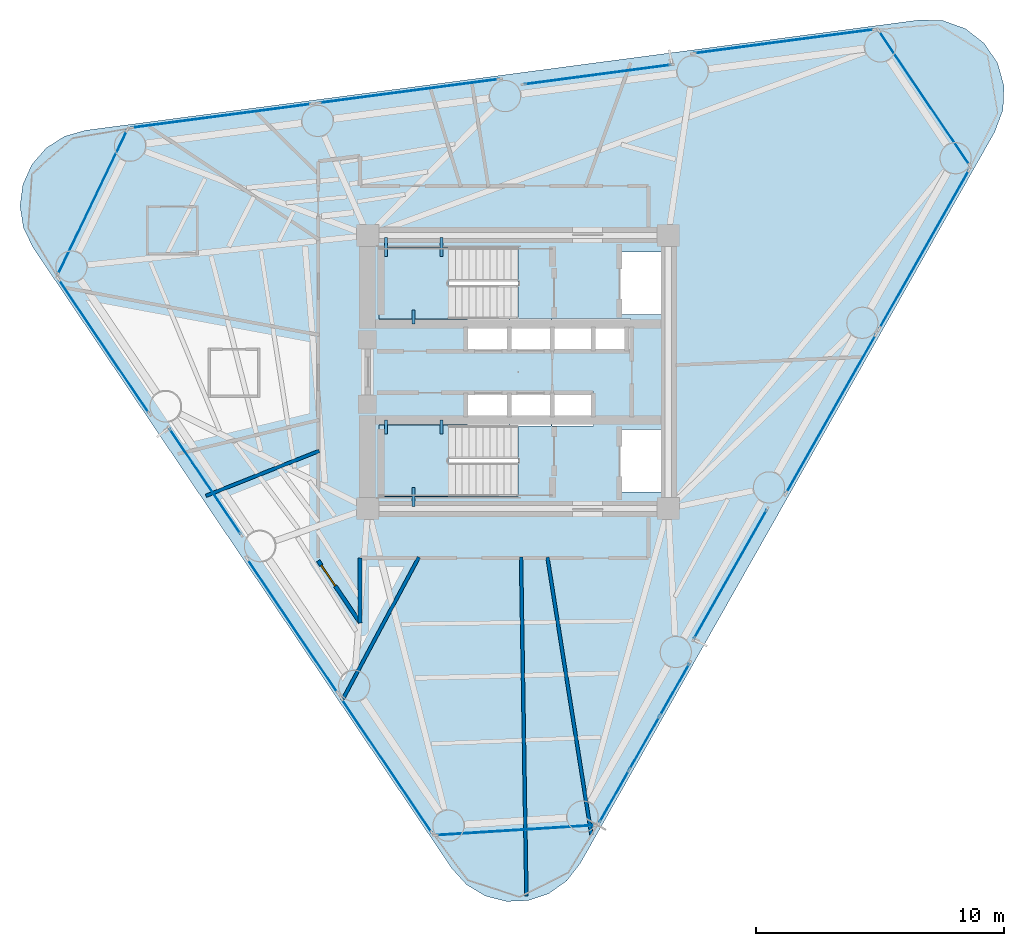
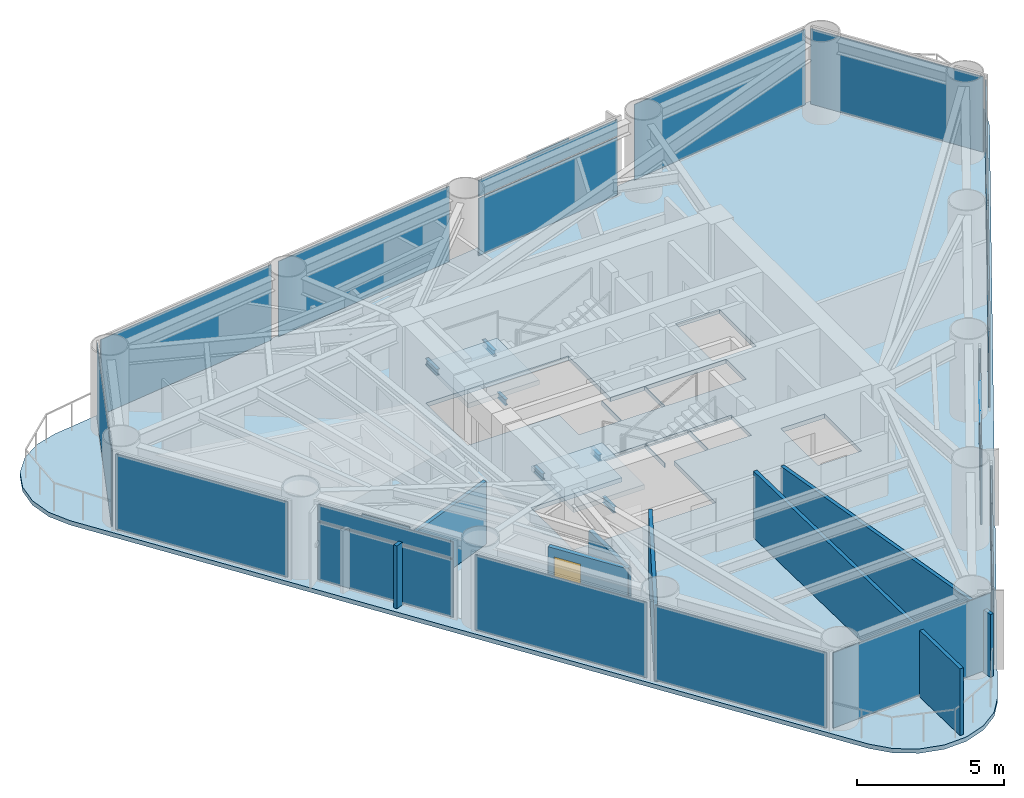
# One storey, part 4 of 10: 26 plates, 6 beams, 6 walls, 3 slabs, 1 door, 1 opening, 17 elements without a shape of their own.
"""IFC4 building model written with IfcOpenShell, lengths in metres."""

from ifc_helpers import new_model, si_unit, direction, frame, frame_2d, origin, origin_2d, place, context, subcontext, project, spatial, polyline, rectangle, i_section, outline, extrude, source, transform, mapped, material, layer, layer_set, material_profile, profile_set, type_object, element, fill, aggregate, save


model = new_model("IFC4")

# Units and contexts
model_context = context("Model", 3, precision=1e-05, world=origin(), true_north=direction((0.0, 1.0)))
body_context = subcontext(model_context, "Body", "Model", "MODEL_VIEW")
ifc_project = project(units=[si_unit("LENGTHUNIT", "METRE"), si_unit("AREAUNIT", "SQUARE_METRE"), si_unit("VOLUMEUNIT", "CUBIC_METRE"), si_unit("PLANEANGLEUNIT", "RADIAN"), si_unit("MASSUNIT", "GRAM", prefix="KILO")], contexts=[model_context])

# Site, building, storey
site_placement = place(None, origin())
site = spatial("IfcSite", under=ifc_project, at=site_placement, CompositionType="ELEMENT")
building_placement = place(site_placement, origin())
building = spatial("IfcBuilding", under=site, at=building_placement, Name="Yunling Apex Tower", CompositionType="ELEMENT")
storey_placement = place(building_placement, frame((0.0, 0.0, 158.75)))
storey = spatial("IfcBuildingStorey", under=building, at=storey_placement, Name="L38", CompositionType="ELEMENT", Elevation=158.75)

# Beams
ifc_material_1 = material(Name="Steel Q355B", Category="steel")
ifc_material_profile = material_profile(ifc_material_1, i_section(OverallWidth=0.125, OverallDepth=0.25, WebThickness=0.006103515625, FlangeThickness=0.009033203125, FilletRadius=0.011962890625, at=origin_2d()))
ifc_profile_set = profile_set([ifc_material_profile], Name="Steel Q355B")
beam_type = type_object("IfcBeamType", Name="BL-LNT-1", PredefinedType="LINTEL", material=ifc_profile_set)
shared_shape_1 = source(origin(), body_context, "Body", "SweptSolid", [
    extrude(i_section(OverallWidth=0.125, OverallDepth=0.25, WebThickness=0.006103515625, FlangeThickness=0.009033203125, FilletRadius=0.011962890625, at=origin_2d()), origin(), (0.0, 0.0, 1.0), 0.760009765625),
])
for number, where, z_axis, x_axis, name in (
    (1, (-5.320068359375, 5.419921875, 1.405029296875), (0.0, -1.0, 0.0), (1.0, 0.0, 0.0), "L38 ST-1 Landing Bearing Corbel 1-1"),
    (2, (-3.090087890625, 5.419921875, 1.405029296875), (0.0, -1.0, 0.0), (1.0, 0.0, 0.0), "L38 ST-1 Landing Bearing Corbel 1-2"),
    (3, (-4.205078125, -5.419921875, 1.405029296875), (0.0, 1.0, 0.0), (-1.0, 0.0, 0.0), "L38 ST-2 Landing Bearing Corbel 1-3"),
):
    element("IfcBeam", number, at=place(storey_placement, frame(where, z_axis=z_axis, x_axis=x_axis)), inside=storey, type_object=beam_type, Name=name, PredefinedType="LINTEL", context=body_context, shape_type="MappedRepresentation", body=[
        mapped(shared_shape_1, transform((0.0, 0.0, 0.0), scale=1.0)),
    ])
shared_shape_2 = source(origin(), body_context, "Body", "SweptSolid", [
    extrude(i_section(OverallWidth=0.125, OverallDepth=0.25, WebThickness=0.006103515625, FlangeThickness=0.009033203125, FilletRadius=0.011962890625, at=origin_2d()), origin(), (0.0, 0.0, 1.0), 0.550048828125),
])
for number, where, z_axis, x_axis, name in (
    (4, (-4.205078125, 1.93994140625, 1.405029296875), (0.0, 1.0, 0.0), (-1.0, 0.0, 0.0), "L38 ST-1 Landing Bearing Corbel 1-3"),
    (5, (-5.320068359375, -1.93994140625, 1.405029296875), (0.0, -1.0, 0.0), (1.0, 0.0, 0.0), "L38 ST-2 Landing Bearing Corbel 1-1"),
    (6, (-3.090087890625, -1.93994140625, 1.405029296875), (0.0, -1.0, 0.0), (1.0, 0.0, 0.0), "L38 ST-2 Landing Bearing Corbel 1-2"),
):
    element("IfcBeam", number, at=place(storey_placement, frame(where, z_axis=z_axis, x_axis=x_axis)), inside=storey, type_object=beam_type, Name=name, PredefinedType="LINTEL", context=body_context, shape_type="MappedRepresentation", body=[
        mapped(shared_shape_2, transform((0.0, 0.0, 0.0), scale=1.0)),
    ])

# Slab
ifc_material_2 = material(Name="Concrete C40", Category="concrete")
ifc_layer_1 = layer(ifc_material_2, 0.1650390625)
ifc_layer_set_1 = layer_set([ifc_layer_1], Name="Concrete C40")
slab_type_1 = type_object("IfcSlabType", Name="SL-FLR-2", PredefinedType="FLOOR", material=ifc_layer_set_1)
slab_1_placement = place(storey_placement, frame((0.0, 0.0, -0.179931640625)))
element("IfcSlab", 7, at=slab_1_placement, inside=storey, type_object=slab_type_1, Name="L38 Composite Tower Floor Slab", PredefinedType="FLOOR", context=body_context, shape_type="SweptSolid", body=[
    extrude(outline(polyline([(-2.665771484375, -20.00146484375), (-2.073486328125, -20.65185546875), (-1.31982421875, -21.10546875), (-0.468017578125, -21.32421875), (0.410888671875, -21.2900390625), (1.243408203125, -21.005615234375), (1.95947265625, -20.494873046875), (2.499267578125, -19.80029296875), (19.197998046875, 9.66650390625), (19.533203125, 10.565185546875), (19.572021484375, 11.5234375), (19.31005859375, 12.4462890625), (18.773681640625, 13.241455078125), (18.01611328125, 13.830078125), (17.113037109375, 14.1533203125), (16.154296875, 14.178955078125), (-17.422119140625, 9.734619140625), (-18.268310546875, 9.494384765625), (-19.01025390625, 9.021728515625), (-19.585693359375, 8.3564453125), (-19.947021484375, 7.554443359375), (-20.06298828125, 6.682373046875), (-19.9248046875, 5.813720703125), (-19.543701171875, 5.02099609375), (-2.665771484375, -20.00146484375)]), holes=[polyline([(5.81005859375, -2.320068359375), (5.81005859375, -4.840087890625), (4.090087890625, -4.840087890625), (4.090087890625, -2.320068359375), (5.81005859375, -2.320068359375)]), polyline([(5.81005859375, 4.840087890625), (5.81005859375, 2.320068359375), (4.090087890625, 2.320068359375), (4.090087890625, 4.840087890625), (5.81005859375, 4.840087890625)]), polyline([(4.534912109375, 0.794921875), (1.364990234375, 0.794921875), (1.364990234375, 2.1650390625), (4.534912109375, 2.1650390625), (4.534912109375, 0.794921875)]), polyline([(3.034912109375, -0.794921875), (3.034912109375, -2.1650390625), (1.364990234375, -2.1650390625), (1.364990234375, -0.794921875), (3.034912109375, -0.794921875)]), polyline([(-2.034912109375, -0.794921875), (-0.364990234375, -0.794921875), (-0.364990234375, -2.139892578125), (-0.3349609375, -2.139892578125), (-0.3349609375, -0.794921875), (1.3349609375, -0.794921875), (1.3349609375, -2.1650390625), (-0.010009765625, -2.1650390625), (-0.010009765625, -5.010009765625), (-5.60009765625, -5.010009765625), (-5.60009765625, -2.139892578125), (-2.034912109375, -2.139892578125), (-2.034912109375, -0.794921875)]), polyline([(-5.60009765625, 2.139892578125), (-5.60009765625, 5.010009765625), (-0.010009765625, 5.010009765625), (-0.010009765625, 2.1650390625), (1.3349609375, 2.1650390625), (1.3349609375, 0.794921875), (-0.3349609375, 0.794921875), (-0.3349609375, 2.139892578125), (-0.364990234375, 2.139892578125), (-0.364990234375, 0.794921875), (-2.034912109375, 0.794921875), (-2.034912109375, 2.139892578125), (-5.60009765625, 2.139892578125)])]), origin(), (0.0, 0.0, 1.0), 0.179931640625),
])

# Stair, slab
stair_type = type_object("IfcStairType", Name="ST-TWR-2", PredefinedType="HALF_TURN_STAIR", material=ifc_material_2)
stair_1_placement = place(storey_placement, origin())
stair_1 = element("IfcStair", 8, at=stair_1_placement, inside=storey, type_object=stair_type, Name="L38 North Core Smokeproof Exit Stair ST-1", PredefinedType="HALF_TURN_STAIR")
ifc_layer_2 = layer(ifc_material_2, 0.195068359375)
ifc_layer_set_2 = layer_set([ifc_layer_2], Name="Concrete C40")
slab_type_2 = type_object("IfcSlabType", Name="SL-LND-1", PredefinedType="LANDING", material=ifc_layer_set_2)
slab_2_placement = place(storey_placement, frame((0.0, 0.0, 1.530029296875)))
slab_2 = element("IfcSlab", 9, at=slab_2_placement, type_object=slab_type_2, Name="ST-1 landing 1", PredefinedType="LANDING", context=body_context, shape_type="SweptSolid", body=[
    extrude(outline(polyline([(-2.81005859375, 5.010009765625), (-5.60009765625, 5.010009765625), (-5.60009765625, 2.139892578125), (-2.81005859375, 2.139892578125), (-2.81005859375, 5.010009765625)])), origin(), (0.0, 0.0, 1.0), 0.195068359375),
])
aggregate(stair_1, [slab_2])

stair_2_placement = place(storey_placement, origin())
stair_2 = element("IfcStair", 10, at=stair_2_placement, inside=storey, type_object=stair_type, Name="L38 South Core Smokeproof Exit Stair ST-2", PredefinedType="HALF_TURN_STAIR")
slab_3_placement = place(storey_placement, frame((0.0, 0.0, 1.530029296875)))
slab_3 = element("IfcSlab", 11, at=slab_3_placement, type_object=slab_type_2, Name="ST-2 landing 1", PredefinedType="LANDING", context=body_context, shape_type="SweptSolid", body=[
    extrude(outline(polyline([(-2.81005859375, -2.139892578125), (-5.60009765625, -2.139892578125), (-5.60009765625, -5.010009765625), (-2.81005859375, -5.010009765625), (-2.81005859375, -2.139892578125)])), origin(), (0.0, 0.0, 1.0), 0.195068359375),
])
aggregate(stair_2, [slab_3])

# Plates
ifc_material_3 = material(Name="Bronze anodised aluminium", Category="aluminium")
ifc_layer_3 = layer(ifc_material_3, 0.011962890625)
ifc_layer_set_3 = layer_set([ifc_layer_3], Name="Bronze anodised aluminium")
plate_type_1 = type_object("IfcPlateType", Name="SP-SHT-1", PredefinedType="SHEET", material=ifc_layer_set_3)
shared_shape_3 = source(origin(), body_context, "Body", "SweptSolid", [
    extrude(rectangle(XDim=1.800048828125, YDim=0.02392578125, at=origin_2d()), origin(), (0.0, 0.0, 1.0), 0.43994140625),
])
for number, where, z_axis, x_axis, name in (
    (12, (8.552490234375, -8.1455078125, 2.8701171875), (0.0, 0.0, 1.0), (0.493031062956, 0.87001170737, 0.0), "SP-GRV-L38-F1"),
    (13, (3.206298828125, 11.98095703125, 2.8701171875), (0.0, 0.0, 1.0), (-0.9913534953, -0.131218319443, 0.0), "SP-GRV-L38-F2"),
    (14, (-12.60546875, -4.40673828125, 2.8701171875), (0.0, 0.0, 1.0), (0.559192903471, -0.829037572555, 0.0), "SP-GRV-L38-F3"),
):
    element("IfcPlate", number, at=place(storey_placement, frame(where, z_axis=z_axis, x_axis=x_axis)), inside=storey, type_object=plate_type_1, Name=name, PredefinedType="SHEET", context=body_context, shape_type="MappedRepresentation", body=[
        mapped(shared_shape_3, transform((0.0, 0.0, 0.0), scale=1.0)),
    ])

# Curtain wall, plates
ifc_layer_4 = layer(ifc_material_3, 0.239990234375)
ifc_layer_set_4 = layer_set([ifc_layer_4], Name="Bronze anodised aluminium")
curtain_wall_type = type_object("IfcCurtainWallType", Name="CW-SYS-3", PredefinedType="NOTDEFINED", material=ifc_layer_set_4)
curtain_wall_1_placement = place(storey_placement, origin())
curtain_wall_1 = element("IfcCurtainWall", 15, at=curtain_wall_1_placement, inside=storey, type_object=curtain_wall_type, Name="CW-L38-F1-B1", PredefinedType="NOTDEFINED")
ifc_material_4 = material(Name="Bronze tinted low-E glass", Category="glass")
ifc_layer_5 = layer(ifc_material_4, 0.031982421875)
ifc_layer_set_5 = layer_set([ifc_layer_5], Name="Bronze tinted low-E glass")
plate_type_2 = type_object("IfcPlateType", Name="CW-PNL-3", PredefinedType="CURTAIN_PANEL", material=ifc_layer_set_5)
shared_shape_4 = source(origin(), body_context, "Body", "SweptSolid", [
    extrude(rectangle(XDim=2.3828125, YDim=0.031982421875, at=origin_2d()), origin(), (0.0, 0.0, 1.0), 2.381103515625),
])
plate_1_placement = place(storey_placement, frame((3.874755859375, -17.089111328125, 0.072265625), z_axis=(0.0, 0.0, 1.0), x_axis=(0.493040979859, 0.870006087438, 0.0)))
plate_1 = element("IfcPlate", 16, at=plate_1_placement, type_object=plate_type_2, Name="CW-SYS-3 panel 1.1", PredefinedType="CURTAIN_PANEL", context=body_context, shape_type="MappedRepresentation", body=[
    mapped(shared_shape_4, transform((0.0, 0.0, 0.0), scale=1.0)),
])
plate_2_placement = place(storey_placement, frame((6.307373046875, -12.796875, 0.072265625), z_axis=(0.0, 0.0, 1.0), x_axis=(0.493040979859, 0.870006087438, 0.0)))
plate_2 = element("IfcPlate", 17, at=plate_2_placement, type_object=plate_type_2, Name="CW-SYS-3 panel 3.1", PredefinedType="CURTAIN_PANEL", context=body_context, shape_type="MappedRepresentation", body=[
    mapped(shared_shape_4, transform((0.0, 0.0, 0.0), scale=1.0)),
])
shared_shape_5 = source(origin(), body_context, "Body", "SweptSolid", [
    extrude(rectangle(XDim=2.3828125, YDim=0.031982421875, at=origin_2d()), origin(), (0.0, 0.0, 1.0), 0.680908203125),
])
plate_3_placement = place(storey_placement, frame((3.874755859375, -17.089111328125, 2.51708984375), z_axis=(0.0, 0.0, 1.0), x_axis=(0.493040979859, 0.870006087438, 0.0)))
plate_3 = element("IfcPlate", 18, at=plate_3_placement, type_object=plate_type_2, Name="CW-SYS-3 panel 1.2", PredefinedType="CURTAIN_PANEL", context=body_context, shape_type="MappedRepresentation", body=[
    mapped(shared_shape_5, transform((0.0, 0.0, 0.0), scale=1.0)),
])
plate_4_placement = place(storey_placement, frame((6.307373046875, -12.796875, 2.51708984375), z_axis=(0.0, 0.0, 1.0), x_axis=(0.493040979859, 0.870006087438, 0.0)))
plate_4 = element("IfcPlate", 19, at=plate_4_placement, type_object=plate_type_2, Name="CW-SYS-3 panel 3.2", PredefinedType="CURTAIN_PANEL", context=body_context, shape_type="MappedRepresentation", body=[
    mapped(shared_shape_5, transform((0.0, 0.0, 0.0), scale=1.0)),
])
shared_shape_6 = source(origin(), body_context, "Body", "SweptSolid", [
    extrude(rectangle(XDim=2.4228515625, YDim=0.031982421875, at=origin_2d()), origin(), (0.0, 0.0, 1.0), 2.381103515625),
])
plate_5_placement = place(storey_placement, frame((5.091064453125, -14.943115234375, 0.072265625), z_axis=(0.0, 0.0, 1.0), x_axis=(0.493040979859, 0.870006087438, 0.0)))
plate_5 = element("IfcPlate", 20, at=plate_5_placement, type_object=plate_type_2, Name="CW-SYS-3 panel 2.1", PredefinedType="CURTAIN_PANEL", context=body_context, shape_type="MappedRepresentation", body=[
    mapped(shared_shape_6, transform((0.0, 0.0, 0.0), scale=1.0)),
])
shared_shape_7 = source(origin(), body_context, "Body", "SweptSolid", [
    extrude(rectangle(XDim=2.4228515625, YDim=0.031982421875, at=origin_2d()), origin(), (0.0, 0.0, 1.0), 0.680908203125),
])
plate_6_placement = place(storey_placement, frame((5.091064453125, -14.943115234375, 2.51708984375), z_axis=(0.0, 0.0, 1.0), x_axis=(0.493040979859, 0.870006087438, 0.0)))
plate_6 = element("IfcPlate", 21, at=plate_6_placement, type_object=plate_type_2, Name="CW-SYS-3 panel 2.2", PredefinedType="CURTAIN_PANEL", context=body_context, shape_type="MappedRepresentation", body=[
    mapped(shared_shape_7, transform((0.0, 0.0, 0.0), scale=1.0)),
])
aggregate(curtain_wall_1, [plate_1, plate_3, plate_5, plate_6, plate_2, plate_4])

# Curtain wall, plate
curtain_wall_2_placement = place(storey_placement, origin())
curtain_wall_2 = element("IfcCurtainWall", 22, at=curtain_wall_2_placement, inside=storey, type_object=curtain_wall_type, Name="CW-L38-F1-B2", PredefinedType="NOTDEFINED")
shared_shape_8 = source(origin(), body_context, "Body", "SweptSolid", [
    extrude(rectangle(XDim=5.9365234375, YDim=0.031982421875, at=origin_2d()), origin(), (0.0, 0.0, 1.0), 2.381103515625),
])
plate_7_placement = place(storey_placement, frame((8.552490234375, -8.145263671875, 0.072265625), z_axis=(0.0, 0.0, 1.0), x_axis=(0.493047012471, 0.87000266867, 0.0)))
plate_7 = element("IfcPlate", 23, at=plate_7_placement, type_object=plate_type_2, Name="CW-SYS-3 panel 1.1", PredefinedType="CURTAIN_PANEL", context=body_context, shape_type="MappedRepresentation", body=[
    mapped(shared_shape_8, transform((0.0, 0.0, 0.0), scale=1.0)),
])

curtain_wall_3_placement = place(storey_placement, origin())
curtain_wall_3 = element("IfcCurtainWall", 24, at=curtain_wall_3_placement, inside=storey, type_object=curtain_wall_type, Name="CW-L38-F2-B2", PredefinedType="NOTDEFINED")
plate_8_placement = place(storey_placement, frame((3.206298828125, 11.98095703125, 0.072265625), z_axis=(0.0, 0.0, 1.0), x_axis=(-0.99135526932, -0.131204916036, 0.0)))
plate_8 = element("IfcPlate", 25, at=plate_8_placement, type_object=plate_type_2, Name="CW-SYS-3 panel 1.1", PredefinedType="CURTAIN_PANEL", context=body_context, shape_type="MappedRepresentation", body=[
    mapped(shared_shape_8, transform((0.0, 0.0, 0.0), scale=1.0)),
])

# Plate
shared_shape_9 = source(origin(), body_context, "Body", "SweptSolid", [
    extrude(rectangle(XDim=5.9365234375, YDim=0.031982421875, at=origin_2d()), origin(), (0.0, 0.0, 1.0), 0.680908203125),
])
plate_9_placement = place(storey_placement, frame((8.552490234375, -8.145263671875, 2.51708984375), z_axis=(0.0, 0.0, 1.0), x_axis=(0.493047012471, 0.87000266867, 0.0)))
plate_9 = element("IfcPlate", 26, at=plate_9_placement, type_object=plate_type_2, Name="CW-SYS-3 panel 1.2", PredefinedType="CURTAIN_PANEL", context=body_context, shape_type="MappedRepresentation", body=[
    mapped(shared_shape_9, transform((0.0, 0.0, 0.0), scale=1.0)),
])

aggregate(curtain_wall_2, [plate_7, plate_9])

plate_10_placement = place(storey_placement, frame((3.206298828125, 11.98095703125, 2.51708984375), z_axis=(0.0, 0.0, 1.0), x_axis=(-0.99135526932, -0.131204916036, 0.0)))
plate_10 = element("IfcPlate", 27, at=plate_10_placement, type_object=plate_type_2, Name="CW-SYS-3 panel 1.2", PredefinedType="CURTAIN_PANEL", context=body_context, shape_type="MappedRepresentation", body=[
    mapped(shared_shape_9, transform((0.0, 0.0, 0.0), scale=1.0)),
])

aggregate(curtain_wall_3, [plate_8, plate_10])

# Curtain wall, plate
curtain_wall_4_placement = place(storey_placement, origin())
curtain_wall_4 = element("IfcCurtainWall", 28, at=curtain_wall_4_placement, inside=storey, type_object=curtain_wall_type, Name="CW-L38-F1-B3", PredefinedType="NOTDEFINED")
shared_shape_10 = source(origin(), body_context, "Body", "SweptSolid", [
    extrude(rectangle(XDim=7.316650390625, YDim=0.031982421875, at=origin_2d()), origin(), (0.0, 0.0, 1.0), 3.1259765625),
])
plate_11_placement = place(storey_placement, frame((12.60546875, -1.682861328125, 0.072021484375), z_axis=(0.0, 0.0, 1.0), x_axis=(0.493035230416, 0.870009345679, 0.0)))
plate_11 = element("IfcPlate", 29, at=plate_11_placement, type_object=plate_type_2, Name="CW-SYS-3 panel 1.1", PredefinedType="CURTAIN_PANEL", context=body_context, shape_type="MappedRepresentation", body=[
    mapped(shared_shape_10, transform((0.0, 0.0, 0.0), scale=1.0)),
])
aggregate(curtain_wall_4, [plate_11])

curtain_wall_5_placement = place(storey_placement, origin())
curtain_wall_5 = element("IfcCurtainWall", 30, at=curtain_wall_5_placement, inside=storey, type_object=curtain_wall_type, Name="CW-L38-F1-B4", PredefinedType="NOTDEFINED")
plate_12_placement = place(storey_placement, frame((16.362548828125, 4.947021484375, 0.072021484375), z_axis=(0.0, 0.0, 1.0), x_axis=(0.493040979859, 0.870006087438, 0.0)))
plate_12 = element("IfcPlate", 31, at=plate_12_placement, type_object=plate_type_2, Name="CW-SYS-3 panel 1.1", PredefinedType="CURTAIN_PANEL", context=body_context, shape_type="MappedRepresentation", body=[
    mapped(shared_shape_10, transform((0.0, 0.0, 0.0), scale=1.0)),
])
aggregate(curtain_wall_5, [plate_12])

curtain_wall_6_placement = place(storey_placement, origin())
curtain_wall_6 = element("IfcCurtainWall", 32, at=curtain_wall_6_placement, inside=storey, type_object=curtain_wall_type, Name="CW-L38-F2-B1", PredefinedType="NOTDEFINED")
plate_13_placement = place(storey_placement, frame((10.716552734375, 13.31787109375, 0.072021484375), z_axis=(0.0, 0.0, 1.0), x_axis=(-0.991352945496, -0.131222473138, 0.0)))
plate_13 = element("IfcPlate", 33, at=plate_13_placement, type_object=plate_type_2, Name="CW-SYS-3 panel 1.1", PredefinedType="CURTAIN_PANEL", context=body_context, shape_type="MappedRepresentation", body=[
    mapped(shared_shape_10, transform((0.0, 0.0, 0.0), scale=1.0)),
])
aggregate(curtain_wall_6, [plate_13])

curtain_wall_7_placement = place(storey_placement, origin())
curtain_wall_7 = element("IfcCurtainWall", 34, at=curtain_wall_7_placement, inside=storey, type_object=curtain_wall_type, Name="CW-L38-F2-B3", PredefinedType="NOTDEFINED")
plate_14_placement = place(storey_placement, frame((-4.39306640625, 11.318115234375, 0.072021484375), z_axis=(0.0, 0.0, 1.0), x_axis=(-0.991354689071, -0.13120930019, 0.0)))
plate_14 = element("IfcPlate", 35, at=plate_14_placement, type_object=plate_type_2, Name="CW-SYS-3 panel 1.1", PredefinedType="CURTAIN_PANEL", context=body_context, shape_type="MappedRepresentation", body=[
    mapped(shared_shape_10, transform((0.0, 0.0, 0.0), scale=1.0)),
])
aggregate(curtain_wall_7, [plate_14])

curtain_wall_8_placement = place(storey_placement, origin())
curtain_wall_8 = element("IfcCurtainWall", 36, at=curtain_wall_8_placement, inside=storey, type_object=curtain_wall_type, Name="CW-L38-F2-B4", PredefinedType="NOTDEFINED")
plate_15_placement = place(storey_placement, frame((-11.94775390625, 10.318115234375, 0.072021484375), z_axis=(0.0, 0.0, 1.0), x_axis=(-0.991352945496, -0.131222473138, 0.0)))
plate_15 = element("IfcPlate", 37, at=plate_15_placement, type_object=plate_type_2, Name="CW-SYS-3 panel 1.1", PredefinedType="CURTAIN_PANEL", context=body_context, shape_type="MappedRepresentation", body=[
    mapped(shared_shape_10, transform((0.0, 0.0, 0.0), scale=1.0)),
])
aggregate(curtain_wall_8, [plate_15])

curtain_wall_9_placement = place(storey_placement, origin())
curtain_wall_9 = element("IfcCurtainWall", 38, at=curtain_wall_9_placement, inside=storey, type_object=curtain_wall_type, Name="CW-L38-CRN1", PredefinedType="NOTDEFINED")
shared_shape_11 = source(origin(), body_context, "Body", "SweptSolid", [
    extrude(rectangle(XDim=6.521728515625, YDim=0.031982421875, at=origin_2d()), origin(), (0.0, 0.0, 1.0), 3.1259765625),
])
plate_16_placement = place(storey_placement, frame((16.360107421875, 11.03515625, 0.072021484375), z_axis=(0.0, 0.0, 1.0), x_axis=(-0.559192747259, 0.829037677921, 0.0)))
plate_16 = element("IfcPlate", 39, at=plate_16_placement, type_object=plate_type_2, Name="CW-SYS-3 panel 1.1", PredefinedType="CURTAIN_PANEL", context=body_context, shape_type="MappedRepresentation", body=[
    mapped(shared_shape_11, transform((0.0, 0.0, 0.0), scale=1.0)),
])
aggregate(curtain_wall_9, [plate_16])

curtain_wall_10_placement = place(storey_placement, origin())
curtain_wall_10 = element("IfcCurtainWall", 40, at=curtain_wall_10_placement, inside=storey, type_object=curtain_wall_type, Name="CW-L38-CRN2", PredefinedType="NOTDEFINED")
shared_shape_12 = source(origin(), body_context, "Body", "SweptSolid", [
    extrude(rectangle(XDim=6.441162109375, YDim=0.031982421875, at=origin_2d()), origin(), (0.0, 0.0, 1.0), 3.1259765625),
])
plate_17_placement = place(storey_placement, frame((-17.144775390625, 6.828857421875, 0.072021484375), z_axis=(0.0, 0.0, 1.0), x_axis=(-0.431993843071, -0.901876554496, 0.0)))
plate_17 = element("IfcPlate", 41, at=plate_17_placement, type_object=plate_type_2, Name="CW-SYS-3 panel 1.1", PredefinedType="CURTAIN_PANEL", context=body_context, shape_type="MappedRepresentation", body=[
    mapped(shared_shape_12, transform((0.0, 0.0, 0.0), scale=1.0)),
])
aggregate(curtain_wall_10, [plate_17])

curtain_wall_11_placement = place(storey_placement, origin())
curtain_wall_11 = element("IfcCurtainWall", 42, at=curtain_wall_11_placement, inside=storey, type_object=curtain_wall_type, Name="CW-L38-CRN3", PredefinedType="NOTDEFINED")
plate_18_placement = place(storey_placement, frame((-0.091064453125, -18.454345703125, 0.072021484375), z_axis=(0.0, 0.0, 1.0), x_axis=(0.998034158431, 0.062672311308, 0.0)))
plate_18 = element("IfcPlate", 43, at=plate_18_placement, type_object=plate_type_2, Name="CW-SYS-3 panel 1.1", PredefinedType="CURTAIN_PANEL", context=body_context, shape_type="MappedRepresentation", body=[
    mapped(shared_shape_12, transform((0.0, 0.0, 0.0), scale=1.0)),
])
aggregate(curtain_wall_11, [plate_18])

curtain_wall_12_placement = place(storey_placement, origin())
curtain_wall_12 = element("IfcCurtainWall", 44, at=curtain_wall_12_placement, inside=storey, type_object=curtain_wall_type, Name="CW-L38-F3-B1", PredefinedType="NOTDEFINED")
shared_shape_13 = source(origin(), body_context, "Body", "SweptSolid", [
    extrude(rectangle(XDim=6.487060546875, YDim=0.031982421875, at=origin_2d()), origin(), (0.0, 0.0, 1.0), 3.1259765625),
])
plate_19_placement = place(storey_placement, frame((-16.684814453125, 1.033203125, 0.072021484375), z_axis=(0.0, 0.0, 1.0), x_axis=(0.559181442901, -0.829045302692, 0.0)))
plate_19 = element("IfcPlate", 45, at=plate_19_placement, type_object=plate_type_2, Name="CW-SYS-3 panel 1.1", PredefinedType="CURTAIN_PANEL", context=body_context, shape_type="MappedRepresentation", body=[
    mapped(shared_shape_13, transform((0.0, 0.0, 0.0), scale=1.0)),
])
aggregate(curtain_wall_12, [plate_19])

curtain_wall_13_placement = place(storey_placement, origin())
curtain_wall_13 = element("IfcCurtainWall", 46, at=curtain_wall_13_placement, inside=storey, type_object=curtain_wall_type, Name="CW-L38-F3-B3", PredefinedType="NOTDEFINED")
plate_20_placement = place(storey_placement, frame((-9.08984375, -10.226806640625, 0.072021484375), z_axis=(0.0, 0.0, 1.0), x_axis=(0.559188434042, -0.829040587205, 0.0)))
plate_20 = element("IfcPlate", 47, at=plate_20_placement, type_object=plate_type_2, Name="CW-SYS-3 panel 1.1", PredefinedType="CURTAIN_PANEL", context=body_context, shape_type="MappedRepresentation", body=[
    mapped(shared_shape_13, transform((0.0, 0.0, 0.0), scale=1.0)),
])
aggregate(curtain_wall_13, [plate_20])

curtain_wall_14_placement = place(storey_placement, origin())
curtain_wall_14 = element("IfcCurtainWall", 48, at=curtain_wall_14_placement, inside=storey, type_object=curtain_wall_type, Name="CW-L38-F3-B4", PredefinedType="NOTDEFINED")
plate_21_placement = place(storey_placement, frame((-5.29248046875, -15.85693359375, 0.072021484375), z_axis=(0.0, 0.0, 1.0), x_axis=(0.559181442901, -0.829045302692, 0.0)))
plate_21 = element("IfcPlate", 49, at=plate_21_placement, type_object=plate_type_2, Name="CW-SYS-3 panel 1.1", PredefinedType="CURTAIN_PANEL", context=body_context, shape_type="MappedRepresentation", body=[
    mapped(shared_shape_13, transform((0.0, 0.0, 0.0), scale=1.0)),
])
aggregate(curtain_wall_14, [plate_21])

# Curtain wall, plates
curtain_wall_15_placement = place(storey_placement, origin())
curtain_wall_15 = element("IfcCurtainWall", 50, at=curtain_wall_15_placement, inside=storey, type_object=curtain_wall_type, Name="CW-L38-F3-B2", PredefinedType="NOTDEFINED")
shared_shape_14 = source(origin(), body_context, "Body", "SweptSolid", [
    extrude(rectangle(XDim=5.10693359375, YDim=0.031982421875, at=origin_2d()), origin(), (0.0, 0.0, 1.0), 2.381103515625),
])
plate_22_placement = place(storey_placement, frame((-12.60546875, -4.40673828125, 0.072265625), z_axis=(0.0, 0.0, 1.0), x_axis=(0.559209856873, -0.829026137089, 0.0)))
plate_22 = element("IfcPlate", 51, at=plate_22_placement, type_object=plate_type_2, Name="CW-SYS-3 panel 1.1", PredefinedType="CURTAIN_PANEL", context=body_context, shape_type="MappedRepresentation", body=[
    mapped(shared_shape_14, transform((0.0, 0.0, 0.0), scale=1.0)),
])
shared_shape_15 = source(origin(), body_context, "Body", "SweptSolid", [
    extrude(rectangle(XDim=5.10693359375, YDim=0.031982421875, at=origin_2d()), origin(), (0.0, 0.0, 1.0), 0.680908203125),
])
plate_23_placement = place(storey_placement, frame((-12.60546875, -4.40673828125, 2.51708984375), z_axis=(0.0, 0.0, 1.0), x_axis=(0.559209856873, -0.829026137089, 0.0)))
plate_23 = element("IfcPlate", 52, at=plate_23_placement, type_object=plate_type_2, Name="CW-SYS-3 panel 1.2", PredefinedType="CURTAIN_PANEL", context=body_context, shape_type="MappedRepresentation", body=[
    mapped(shared_shape_15, transform((0.0, 0.0, 0.0), scale=1.0)),
])
aggregate(curtain_wall_15, [plate_22, plate_23])

# Wall
ifc_material_5 = material(Name="Gypsum board acoustic partition")
ifc_layer_6 = layer(ifc_material_5, 0.159912109375)
ifc_layer_set_6 = layer_set([ifc_layer_6], Name="Gypsum board acoustic partition")
wall_type_1 = type_object("IfcWallType", Name="WL-PRT-1", PredefinedType="PARTITIONING", material=ifc_layer_set_6)
wall_1_placement = place(storey_placement, frame((-6.360107421875, -7.5, 0.0), z_axis=(0.0, 0.0, 1.0), x_axis=(0.0, -1.0, 0.0)))
element("IfcWall", 53, at=wall_1_placement, inside=storey, type_object=wall_type_1, Name="WL-CORR-L38-01", PredefinedType="PARTITIONING", context=body_context, shape_type="SweptSolid", body=[
    extrude(rectangle(XDim=2.607421875, YDim=0.159912109375, at=frame_2d((1.3037109375, 0.0))), origin(), (0.0, 0.0, 1.0), 2.60498046875),
])

# Wall, opening, door
wall_2_placement = place(storey_placement, frame((-6.360107421875, -10.107421875, 0.0), z_axis=(0.0, 0.0, 1.0), x_axis=(-0.559166202639, 0.829055581868, 0.0)))
wall_2 = element("IfcWall", 54, at=wall_2_placement, inside=storey, type_object=wall_type_1, Name="WL-CORR-L38-02", PredefinedType="PARTITIONING", context=body_context, shape_type="SweptSolid", body=[
    extrude(rectangle(XDim=3.022216796875, YDim=0.159912109375, at=frame_2d((1.51123046875, 0.0))), origin(), (0.0, 0.0, 1.0), 2.60498046875),
])
opening_placement = place(wall_2_placement, frame((1.80224609375, 0.0, 0.0)))
opening = element("IfcOpeningElement", 55, at=opening_placement, cuts=wall_2, Name="Opening DR-OFF-1", PredefinedType="OPENING", context=body_context, shape_type="SweptSolid", body=[
    extrude(rectangle(XDim=1.0, YDim=2.25, at=frame_2d((0.5, 1.125))), frame((0.0, 0.08984375, 0.0), z_axis=(0.0, -1.0, 0.0), x_axis=(1.0, 0.0, 0.0)), (0.0, 0.0, 1.0), 0.179931640625),
])
door_type = type_object("IfcDoorType", Name="DR-OFF-1", OperationType="NOTDEFINED", PredefinedType="DOOR", material=ifc_material_3)
door_placement = place(opening_placement, origin())
door = element("IfcDoor", 56, at=door_placement, inside=storey, type_object=door_type, Name="L38 Guest Wellness Club Door", OperationType="SINGLE_SWING_RIGHT", OverallHeight=2.25, OverallWidth=1.0, PredefinedType="DOOR", context=body_context, shape_type="SweptSolid", body=[
    extrude(rectangle(XDim=1.0, YDim=2.25, at=frame_2d((0.5, 1.125))), frame((0.0, 0.02490234375, 0.0), z_axis=(0.0, -1.0, 0.0), x_axis=(1.0, 0.0, 0.0)), (0.0, 0.0, 1.0), 0.050048828125),
])
fill(opening, door)

# Walls
ifc_layer_7 = layer(ifc_material_5, 0.139892578125)
ifc_layer_set_7 = layer_set([ifc_layer_7], Name="Gypsum board acoustic partition")
wall_type_2 = type_object("IfcWallType", Name="WL-PRT-2", PredefinedType="PARTITIONING", material=ifc_layer_set_7)
wall_3_placement = place(storey_placement, frame((-8.010009765625, -3.17724609375, 0.0), z_axis=(0.0, 0.0, 1.0), x_axis=(-0.929545887112, -0.368706446586, 0.0)))
element("IfcWall", 57, at=wall_3_placement, inside=storey, type_object=wall_type_2, Name="WL-RAD-L38-09", PredefinedType="PARTITIONING", context=body_context, shape_type="SweptSolid", body=[
    extrude(rectangle(XDim=4.9111328125, YDim=0.139892578125, at=frame_2d((2.45556640625, 0.0))), origin(), (0.0, 0.0, 1.0), 2.60498046875),
])
wall_4_placement = place(storey_placement, frame((-3.9970703125, -7.4599609375, 0.0), z_axis=(0.0, 0.0, 1.0), x_axis=(-0.472255924341, -0.881461480681, 0.0)))
element("IfcWall", 58, at=wall_4_placement, inside=storey, type_object=wall_type_2, Name="WL-RAD-L38-10", PredefinedType="PARTITIONING", context=body_context, shape_type="SweptSolid", body=[
    extrude(rectangle(XDim=6.47802734375, YDim=0.139892578125, at=frame_2d((3.239013671875, 0.0))), origin(), (0.0, 0.0, 1.0), 2.60498046875),
])
wall_5_placement = place(storey_placement, frame((0.118408203125, -7.4599609375, 0.0), z_axis=(0.0, 0.0, 1.0), x_axis=(0.015859383496, -0.999874232069, 0.0)))
element("IfcWall", 59, at=wall_5_placement, inside=storey, type_object=wall_type_2, Name="WL-RAD-L38-11", PredefinedType="PARTITIONING", context=body_context, shape_type="SweptSolid", body=[
    extrude(rectangle(XDim=13.654541015625, YDim=0.139892578125, at=frame_2d((6.8271484375, 0.0))), origin(), (0.0, 0.0, 1.0), 2.764892578125),
])
wall_6_placement = place(storey_placement, frame((1.181396484375, -7.4599609375, 0.0), z_axis=(0.0, 0.0, 1.0), x_axis=(0.156458885844, -0.98768447241, 0.0)))
element("IfcWall", 60, at=wall_6_placement, inside=storey, type_object=wall_type_2, Name="WL-RAD-L38-12", PredefinedType="PARTITIONING", context=body_context, shape_type="SweptSolid", body=[
    extrude(rectangle(XDim=11.316162109375, YDim=0.139892578125, at=frame_2d((5.658203125, 0.0))), origin(), (0.0, 0.0, 1.0), 2.60498046875),
])

save(model, "model.ifc")
